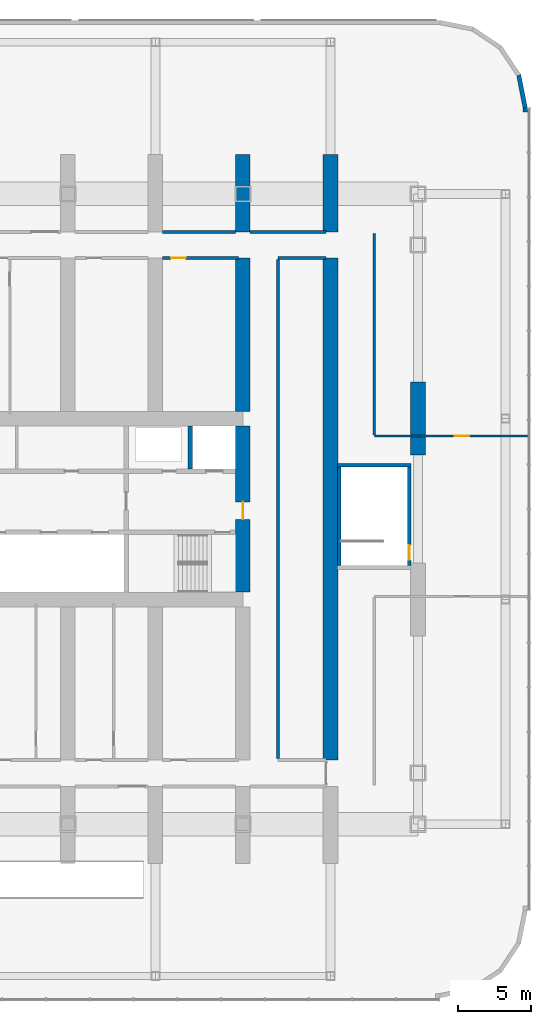
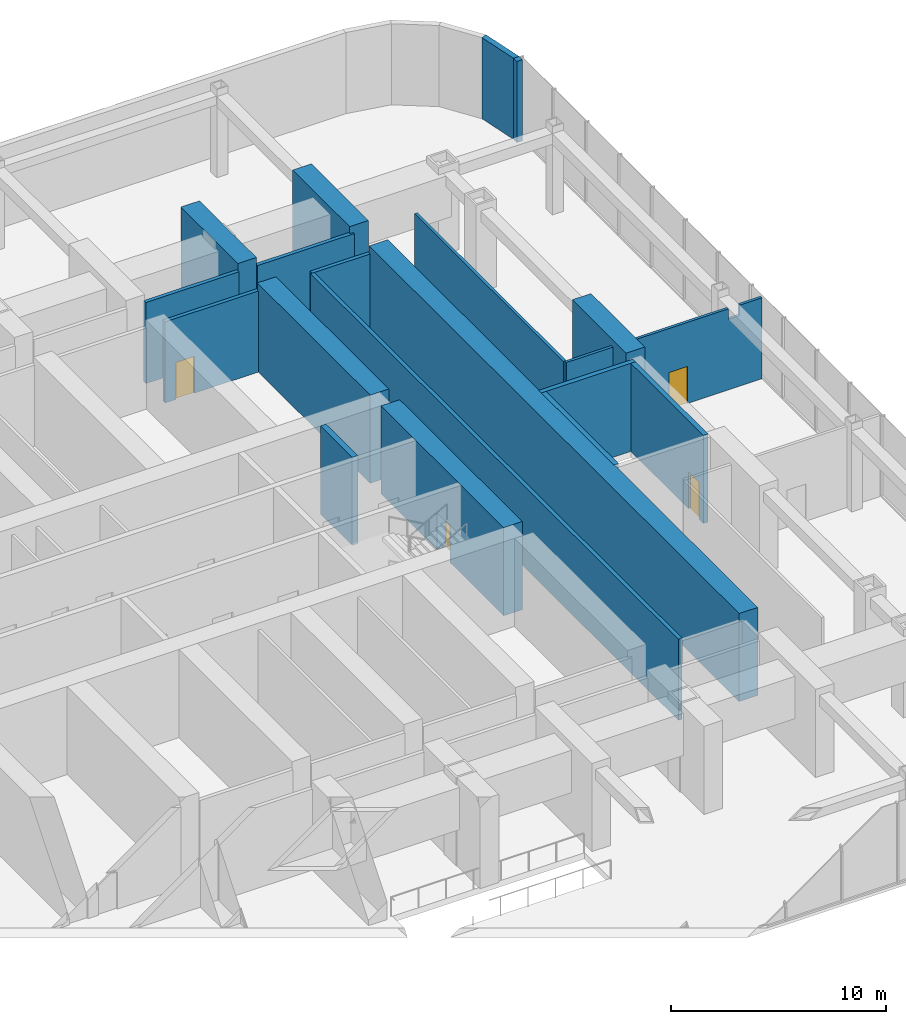
# One storey, part 16 of 26: 19 walls, 4 doors, 4 openings.
"""IFC4 building model written with IfcOpenShell, lengths in metres."""

from ifc_helpers import new_model, si_unit, direction, frame, frame_2d, origin, place, context, subcontext, project, spatial, polyline, rectangle, outline, extrude, material, layer, layer_set, type_object, element, fill, save


model = new_model("IFC4")

# Units and contexts
model_context = context("Model", 3, precision=1e-05, world=origin(), true_north=direction((0.0, 1.0)))
body_context = subcontext(model_context, "Body", "Model", "MODEL_VIEW")
ifc_project = project(units=[si_unit("LENGTHUNIT", "METRE"), si_unit("AREAUNIT", "SQUARE_METRE"), si_unit("VOLUMEUNIT", "CUBIC_METRE"), si_unit("PLANEANGLEUNIT", "RADIAN"), si_unit("MASSUNIT", "GRAM", prefix="KILO")], contexts=[model_context])

# Site, building, storey
site_placement = place(None, origin())
site = spatial("IfcSite", under=ifc_project, at=site_placement, CompositionType="ELEMENT")
building_placement = place(site_placement, origin())
building = spatial("IfcBuilding", under=site, at=building_placement, Name="Orbita Commons", CompositionType="ELEMENT")
storey_placement = place(building_placement, frame((0.0, 0.0, 11.0)))
storey = spatial("IfcBuildingStorey", under=building, at=storey_placement, Name="L02", CompositionType="ELEMENT", Elevation=11.0)

# Wall
ifc_material_1 = material(Name="Concrete C50/60", Category="concrete")
ifc_layer_1 = layer(ifc_material_1, 0.300048828125)
ifc_layer_set_1 = layer_set([ifc_layer_1], Name="Concrete C50/60")
wall_type_1 = type_object("IfcWallType", Name="Core inner wall 300 C50/60", PredefinedType="SHEAR", material=ifc_layer_set_1)
wall_1_placement = place(storey_placement, frame((62.39990234375, 34.75, 0.0), z_axis=(0.0, 0.0, 1.0), x_axis=(0.0, 1.0, 0.0)))
element("IfcWall", 1, at=wall_1_placement, inside=storey, type_object=wall_type_1, Name="Firefighting lift FL2 shaft wall L02", PredefinedType="SHEAR", context=body_context, shape_type="SweptSolid", body=[
    extrude(rectangle(XDim=2.949951171875, YDim=0.300048828125, at=frame_2d((1.47509765625, 0.0))), origin(), (0.0, 0.0, 1.0), 5.0),
])

# Wall, opening, door
ifc_material_2 = material(Name="Concrete C50/60", Category="concrete")
ifc_layer_2 = layer(ifc_material_2, 1.0)
ifc_layer_set_2 = layer_set([ifc_layer_2], Name="Concrete C50/60")
wall_type_2 = type_object("IfcWallType", Name="Core wall 1000 C50/60", PredefinedType="SHEAR", material=ifc_layer_set_2)
wall_2_placement = place(storey_placement, frame((66.0, 26.300048828125, 0.0), z_axis=(0.0, 0.0, 1.0), x_axis=(0.0, 1.0, 0.0)))
wall_2 = element("IfcWall", 2, at=wall_2_placement, inside=storey, type_object=wall_type_2, Name="Core end wall east L02", PredefinedType="SHEAR", context=body_context, shape_type="SweptSolid", body=[
    extrude(rectangle(XDim=11.39990234375, YDim=1.0, at=frame_2d((5.699951171875, 0.0))), origin(), (0.0, 0.0, 1.0), 5.0),
])
opening_1_placement = place(wall_2_placement, frame((5.0, 0.0, 0.0)))
opening_1 = element("IfcOpeningElement", 3, at=opening_1_placement, cuts=wall_2, Name="Opening D01", PredefinedType="OPENING", context=body_context, shape_type="SweptSolid", body=[
    extrude(rectangle(XDim=1.199951171875, YDim=2.10009765625, at=frame_2d((0.60009765625, 1.050048828125))), frame((0.0, 0.510009765625, 0.0), z_axis=(0.0, -1.0, 0.0), x_axis=(1.0, 0.0, 0.0)), (0.0, 0.0, 1.0), 1.02001953125),
])
ifc_material_3 = material(Name="Steel-faced fire door leaf", Category="steel")
door_type_1 = type_object("IfcDoorType", Name="Fire door 90 min 1200x2100", OperationType="SINGLE_SWING_LEFT", PredefinedType="DOOR", material=ifc_material_3)
door_1_placement = place(opening_1_placement, origin())
door_1 = element("IfcDoor", 4, at=door_1_placement, inside=storey, type_object=door_type_1, Name="Firefighting lobby east door", OperationType="SINGLE_SWING_LEFT", OverallHeight=2.10009765625, OverallWidth=1.199951171875, PredefinedType="DOOR", context=body_context, shape_type="SweptSolid", body=[
    extrude(rectangle(XDim=1.199951171875, YDim=2.10009765625, at=frame_2d((0.60009765625, 1.050048828125))), frame((0.0, 0.02490234375, 0.0), z_axis=(0.0, -1.0, 0.0), x_axis=(1.0, 0.0, 0.0)), (0.0, 0.0, 1.0), 0.050048828125),
])
fill(opening_1, door_1)

# Walls
ifc_material_4 = material(Name="Concrete blockwork", Category="masonry")
ifc_layer_3 = layer(ifc_material_4, 0.199951171875)
ifc_layer_set_3 = layer_set([ifc_layer_3], Name="Concrete blockwork")
wall_type_3 = type_object("IfcWallType", Name="Corridor wall 200 blockwork", PredefinedType="SOLIDWALL", material=ifc_layer_set_3)
wall_3_placement = place(storey_placement, frame((60.5, 51.0, 0.0), z_axis=(0.0, 0.0, 1.0), x_axis=(1.0, 0.0, 0.0)))
element("IfcWall", 5, at=wall_3_placement, inside=storey, type_object=wall_type_3, Name="Corridor wall 200 blockwork L02", PredefinedType="SOLIDWALL", context=body_context, shape_type="SweptSolid", body=[
    extrude(rectangle(XDim=5.0, YDim=0.199951171875, at=frame_2d((2.5, 0.0))), origin(), (0.0, 0.0, 1.0), 4.60009765625),
])
wall_4_placement = place(storey_placement, frame((66.5, 51.0, 0.0), z_axis=(0.0, 0.0, 1.0), x_axis=(1.0, 0.0, 0.0)))
element("IfcWall", 6, at=wall_4_placement, inside=storey, type_object=wall_type_3, Name="Corridor wall 200 blockwork L02", PredefinedType="SOLIDWALL", context=body_context, shape_type="SweptSolid", body=[
    extrude(rectangle(XDim=5.199951171875, YDim=0.199951171875, at=frame_2d((2.60009765625, 0.0))), origin(), (0.0, 0.0, 1.0), 4.60009765625),
])
wall_5_placement = place(storey_placement, frame((68.39990234375, 49.199951171875, 0.0), z_axis=(0.0, 0.0, 1.0), x_axis=(1.0, 0.0, 0.0)))
element("IfcWall", 7, at=wall_5_placement, inside=storey, type_object=wall_type_3, Name="Corridor wall 200 blockwork L02", PredefinedType="SOLIDWALL", context=body_context, shape_type="SweptSolid", body=[
    extrude(rectangle(XDim=3.300048828125, YDim=0.199951171875, at=frame_2d((1.64990234375, 0.0))), origin(), (0.0, 0.0, 1.0), 4.60009765625),
])
wall_6_placement = place(storey_placement, frame((68.39990234375, 14.89990234375, 0.0), z_axis=(0.0, 0.0, 1.0), x_axis=(0.0, 1.0, 0.0)))
element("IfcWall", 8, at=wall_6_placement, inside=storey, type_object=wall_type_3, Name="Corridor wall 200 blockwork L02", PredefinedType="SOLIDWALL", context=body_context, shape_type="SweptSolid", body=[
    extrude(rectangle(XDim=34.2001953125, YDim=0.199951171875, at=frame_2d((17.10009765625, 0.0))), origin(), (0.0, 0.0, 1.0), 4.60009765625),
])

# Wall, opening, door
wall_7_placement = place(storey_placement, frame((60.5, 49.199951171875, 0.0), z_axis=(0.0, 0.0, 1.0), x_axis=(1.0, 0.0, 0.0)))
wall_7 = element("IfcWall", 9, at=wall_7_placement, inside=storey, type_object=wall_type_3, Name="Corridor wall 200 blockwork L02", PredefinedType="SOLIDWALL", context=body_context, shape_type="SweptSolid", body=[
    extrude(rectangle(XDim=5.199951171875, YDim=0.199951171875, at=frame_2d((2.60009765625, 0.0))), origin(), (0.0, 0.0, 1.0), 4.60009765625),
])
opening_2_placement = place(wall_7_placement, frame((0.574951171875, 0.0, 0.0)))
opening_2 = element("IfcOpeningElement", 10, at=opening_2_placement, cuts=wall_7, Name="Opening D06", PredefinedType="OPENING", context=body_context, shape_type="SweptSolid", body=[
    extrude(rectangle(XDim=1.0, YDim=2.10009765625, at=frame_2d((0.5, 1.050048828125))), frame((0.0, 0.10986328125, 0.0), z_axis=(0.0, -1.0, 0.0), x_axis=(1.0, 0.0, 0.0)), (0.0, 0.0, 1.0), 0.219970703125),
])
ifc_material_5 = material(Name="Steel-faced fire door leaf", Category="steel")
door_type_2 = type_object("IfcDoorType", Name="Corridor door 20 min 1000x2100", OperationType="SINGLE_SWING_LEFT", PredefinedType="DOOR", material=ifc_material_5)
door_2_placement = place(opening_2_placement, origin())
door_2 = element("IfcDoor", 11, at=door_2_placement, inside=storey, type_object=door_type_2, Name="Room door", OperationType="SINGLE_SWING_LEFT", OverallHeight=2.10009765625, OverallWidth=1.0, PredefinedType="DOOR", context=body_context, shape_type="SweptSolid", body=[
    extrude(rectangle(XDim=1.0, YDim=2.10009765625, at=frame_2d((0.5, 1.050048828125))), frame((0.0, 0.02490234375, 0.0), z_axis=(0.0, -1.0, 0.0), x_axis=(1.0, 0.0, 0.0)), (0.0, 0.0, 1.0), 0.050048828125),
])
fill(opening_2, door_2)

# Walls
ifc_material_6 = material(Name="Concrete C50/60", Category="concrete")
ifc_layer_4 = layer(ifc_material_6, 1.0)
ifc_layer_set_4 = layer_set([ifc_layer_4], Name="Concrete C50/60")
wall_type_4 = type_object("IfcWallType", Name="Cross wall 1000 C50/60", PredefinedType="SHEAR", material=ifc_layer_set_4)
wall_8_placement = place(storey_placement, frame((66.0, 51.0, 0.0), z_axis=(0.0, 0.0, 1.0), x_axis=(0.0, 1.0, 0.0)))
element("IfcWall", 12, at=wall_8_placement, inside=storey, type_object=wall_type_4, Name="Cross wall 12 north outer L02", PredefinedType="SHEAR", context=body_context, shape_type="SweptSolid", body=[
    extrude(rectangle(XDim=5.300048828125, YDim=1.0, at=frame_2d((2.64990234375, 0.0))), origin(), (0.0, 0.0, 1.0), 5.0),
])
wall_9_placement = place(storey_placement, frame((66.0, 38.699951171875, 0.0), z_axis=(0.0, 0.0, 1.0), x_axis=(0.0, 1.0, 0.0)))
element("IfcWall", 13, at=wall_9_placement, inside=storey, type_object=wall_type_4, Name="Cross wall 12 north inner L02", PredefinedType="SHEAR", context=body_context, shape_type="SweptSolid", body=[
    extrude(rectangle(XDim=10.5, YDim=1.0, at=frame_2d((5.25, 0.0))), origin(), (0.0, 0.0, 1.0), 5.0),
])
wall_10_placement = place(storey_placement, frame((72.0, 51.0, 0.0), z_axis=(0.0, 0.0, 1.0), x_axis=(0.0, 1.0, 0.0)))
element("IfcWall", 14, at=wall_10_placement, inside=storey, type_object=wall_type_4, Name="Cross wall 13 north outer L02", PredefinedType="SHEAR", context=body_context, shape_type="SweptSolid", body=[
    extrude(rectangle(XDim=5.300048828125, YDim=1.0, at=frame_2d((2.64990234375, 0.0))), origin(), (0.0, 0.0, 1.0), 5.0),
])
wall_11_placement = place(storey_placement, frame((72.0, 14.800048828125, 0.0), z_axis=(0.0, 0.0, 1.0), x_axis=(0.0, 1.0, 0.0)))
element("IfcWall", 15, at=wall_11_placement, inside=storey, type_object=wall_type_4, Name="Cross wall 13 inner L02", PredefinedType="SHEAR", context=body_context, shape_type="SweptSolid", body=[
    extrude(rectangle(XDim=34.39990234375, YDim=1.0, at=frame_2d((17.199951171875, 0.0))), origin(), (0.0, 0.0, 1.0), 5.0),
])
ifc_material_7 = material(Name="Concrete C50/60", Category="concrete")
ifc_layer_5 = layer(ifc_material_7, 1.0)
ifc_layer_set_5 = layer_set([ifc_layer_5], Name="Concrete C50/60")
wall_type_5 = type_object("IfcWallType", Name="End pier 1000x5000 C50/60", PredefinedType="SHEAR", material=ifc_layer_set_5)
wall_12_placement = place(storey_placement, frame((78.0, 35.699951171875, 0.0), z_axis=(0.0, 0.0, 1.0), x_axis=(0.0, 1.0, 0.0)))
element("IfcWall", 16, at=wall_12_placement, inside=storey, type_object=wall_type_5, Name="End pier 14/D L02", PredefinedType="SHEAR", context=body_context, shape_type="SweptSolid", body=[
    extrude(rectangle(XDim=5.0, YDim=1.0, at=frame_2d((2.5, 0.0))), origin(), (0.0, 0.0, 1.0), 5.0),
])

# Wall, opening, door
ifc_material_8 = material(Name="Gypsum plasterboard on steel studs", Category="steel")
ifc_layer_6 = layer(ifc_material_8, 0.14990234375)
ifc_layer_set_6 = layer_set([ifc_layer_6], Name="Gypsum plasterboard on steel studs")
wall_type_6 = type_object("IfcWallType", Name="Partition 150 plasterboard", PredefinedType="PARTITIONING", material=ifc_layer_set_6)
wall_13_placement = place(storey_placement, frame((75.0, 37.0, 0.0), z_axis=(0.0, 0.0, 1.0), x_axis=(1.0, 0.0, 0.0)))
wall_13 = element("IfcWall", 17, at=wall_13_placement, inside=storey, type_object=wall_type_6, Name="Partition 150 plasterboard L02", PredefinedType="PARTITIONING", context=body_context, shape_type="SweptSolid", body=[
    extrude(outline(polyline([(0.0, 0.0), (10.489990234375, 0.0), (10.489990234375, 4.60009765625), (9.302001953125, 4.60009765625), (9.300048828125, 4.0), (8.701904296875, 4.0), (8.699951171875, 4.60009765625), (0.0, 4.60009765625), (0.0, 0.0)])), frame((0.0, 0.074951171875, 0.0), z_axis=(0.0, -1.0, 0.0), x_axis=(1.0, 0.0, 0.0)), (0.0, 0.0, 1.0), 0.14990234375),
])
opening_3_placement = place(wall_13_placement, frame((5.5, 0.0, 0.0)))
opening_3 = element("IfcOpeningElement", 18, at=opening_3_placement, cuts=wall_13, Name="Opening D06", PredefinedType="OPENING", context=body_context, shape_type="SweptSolid", body=[
    extrude(rectangle(XDim=1.0, YDim=2.10009765625, at=frame_2d((0.5, 1.050048828125))), frame((0.0, 0.0849609375, 0.0), z_axis=(0.0, -1.0, 0.0), x_axis=(1.0, 0.0, 0.0)), (0.0, 0.0, 1.0), 0.169921875),
])
door_3_placement = place(opening_3_placement, origin())
door_3 = element("IfcDoor", 19, at=door_3_placement, inside=storey, type_object=door_type_2, Name="Seminar rooms door", OperationType="SINGLE_SWING_LEFT", OverallHeight=2.10009765625, OverallWidth=1.0, PredefinedType="DOOR", context=body_context, shape_type="SweptSolid", body=[
    extrude(rectangle(XDim=1.0, YDim=2.10009765625, at=frame_2d((0.5, 1.050048828125))), frame((0.0, 0.02490234375, 0.0), z_axis=(0.0, -1.0, 0.0), x_axis=(1.0, 0.0, 0.0)), (0.0, 0.0, 1.0), 0.050048828125),
])
fill(opening_3, door_3)

# Wall
wall_14_placement = place(storey_placement, frame((75.0, 37.074951171875, 0.0), z_axis=(0.0, 0.0, 1.0), x_axis=(0.0, 1.0, 0.0)))
element("IfcWall", 20, at=wall_14_placement, inside=storey, type_object=wall_type_6, Name="Partition 150 plasterboard L02", PredefinedType="PARTITIONING", context=body_context, shape_type="SweptSolid", body=[
    extrude(rectangle(XDim=13.824951171875, YDim=0.14990234375, at=frame_2d((6.91259765625, 0.0))), origin(), (0.0, 0.0, 1.0), 4.60009765625),
])

# Wall, opening, door
ifc_material_9 = material(Name="Concrete C50/60", Category="concrete")
ifc_layer_7 = layer(ifc_material_9, 0.25)
ifc_layer_set_7 = layer_set([ifc_layer_7], Name="Concrete C50/60")
wall_type_7 = type_object("IfcWallType", Name="Podium stair wall 250 RC", PredefinedType="SHEAR", material=ifc_layer_set_7)
wall_15_placement = place(storey_placement, frame((77.39990234375, 28.125, 0.0), z_axis=(0.0, 0.0, 1.0), x_axis=(0.0, 1.0, 0.0)))
wall_15 = element("IfcWall", 21, at=wall_15_placement, inside=storey, type_object=wall_type_7, Name="Podium stair PS2 wall e L02", PredefinedType="SHEAR", context=body_context, shape_type="SweptSolid", body=[
    extrude(rectangle(XDim=6.75, YDim=0.25, at=frame_2d((3.375, 0.0))), origin(), (0.0, 0.0, 1.0), 5.0),
])
opening_4_placement = place(wall_15_placement, frame((0.39990234375, 0.0, 0.0)))
opening_4 = element("IfcOpeningElement", 22, at=opening_4_placement, cuts=wall_15, Name="Opening D02", PredefinedType="OPENING", context=body_context, shape_type="SweptSolid", body=[
    extrude(rectangle(XDim=1.0, YDim=2.10009765625, at=frame_2d((0.5, 1.050048828125))), frame((0.0, 0.135009765625, 0.0), z_axis=(0.0, -1.0, 0.0), x_axis=(1.0, 0.0, 0.0)), (0.0, 0.0, 1.0), 0.27001953125),
])
ifc_material_10 = material(Name="Steel-faced fire door leaf", Category="steel")
door_type_3 = type_object("IfcDoorType", Name="Fire door 90 min 1000x2100", OperationType="SINGLE_SWING_LEFT", PredefinedType="DOOR", material=ifc_material_10)
door_4_placement = place(opening_4_placement, origin())
door_4 = element("IfcDoor", 23, at=door_4_placement, inside=storey, type_object=door_type_3, Name="Podium exit stair PS2 door", OperationType="SINGLE_SWING_LEFT", OverallHeight=2.10009765625, OverallWidth=1.0, PredefinedType="DOOR", context=body_context, shape_type="SweptSolid", body=[
    extrude(rectangle(XDim=1.0, YDim=2.10009765625, at=frame_2d((0.5, 1.050048828125))), frame((0.0, 0.02490234375, 0.0), z_axis=(0.0, -1.0, 0.0), x_axis=(1.0, 0.0, 0.0)), (0.0, 0.0, 1.0), 0.050048828125),
])
fill(opening_4, door_4)

# Walls
wall_16_placement = place(storey_placement, frame((77.52490234375, 35.0, 0.0), z_axis=(0.0, 0.0, 1.0), x_axis=(-1.0, 0.0, 0.0)))
element("IfcWall", 24, at=wall_16_placement, inside=storey, type_object=wall_type_7, Name="Podium stair PS2 wall n L02", PredefinedType="SHEAR", context=body_context, shape_type="SweptSolid", body=[
    extrude(rectangle(XDim=5.0498046875, YDim=0.25, at=frame_2d((2.52490234375, 0.0))), origin(), (0.0, 0.0, 1.0), 5.0),
])
wall_17_placement = place(storey_placement, frame((72.60009765625, 34.875, 0.0), z_axis=(0.0, 0.0, 1.0), x_axis=(0.0, -1.0, 0.0)))
element("IfcWall", 25, at=wall_17_placement, inside=storey, type_object=wall_type_7, Name="Podium stair PS2 wall w L02", PredefinedType="SHEAR", context=body_context, shape_type="SweptSolid", body=[
    extrude(rectangle(XDim=6.75, YDim=0.25, at=frame_2d((3.375, 0.0))), origin(), (0.0, 0.0, 1.0), 5.0),
])
ifc_material_11 = material(Name="Precast concrete C40/50, white board-marked finish", Category="concrete")
ifc_layer_8 = layer(ifc_material_11, 0.300048828125)
ifc_layer_set_8 = layer_set([ifc_layer_8], Name="Precast concrete C40/50, white board-marked finish")
wall_type_8 = type_object("IfcWallType", Name="Precast concrete end shield 300", PredefinedType="SOLIDWALL", material=ifc_layer_set_8)
wall_18_placement = place(storey_placement, frame((85.35009765625, 59.5, 0.0), z_axis=(0.0, 0.0, 1.0), x_axis=(-0.195087604935, 0.98078582086, 0.0)))
element("IfcWall", 26, at=wall_18_placement, inside=storey, type_object=wall_type_8, Name="Podium corner wall NE 1 L02", PredefinedType="SOLIDWALL", context=body_context, shape_type="SweptSolid", body=[
    extrude(outline(polyline([(-0.014892578125, -0.14990234375), (2.3125, -0.14990234375), (2.2529296875, 0.14990234375), (0.014892578125, 0.14990234375), (-0.014892578125, -0.14990234375)])), origin(), (0.0, 0.0, 1.0), 4.60009765625),
])
wall_19_placement = place(storey_placement, frame((85.35009765625, 59.5, 0.0), z_axis=(0.0, 0.0, 1.0), x_axis=(0.0, -1.0, 0.0)))
element("IfcWall", 27, at=wall_19_placement, inside=storey, type_object=wall_type_8, Name="Podium corner wall jamb E2 L02", PredefinedType="SOLIDWALL", context=body_context, shape_type="SweptSolid", body=[
    extrude(rectangle(XDim=0.300048828125, YDim=0.300048828125, at=frame_2d((0.14990234375, 0.0))), origin(), (0.0, 0.0, 1.0), 4.60009765625),
])

save(model, "model.ifc")
